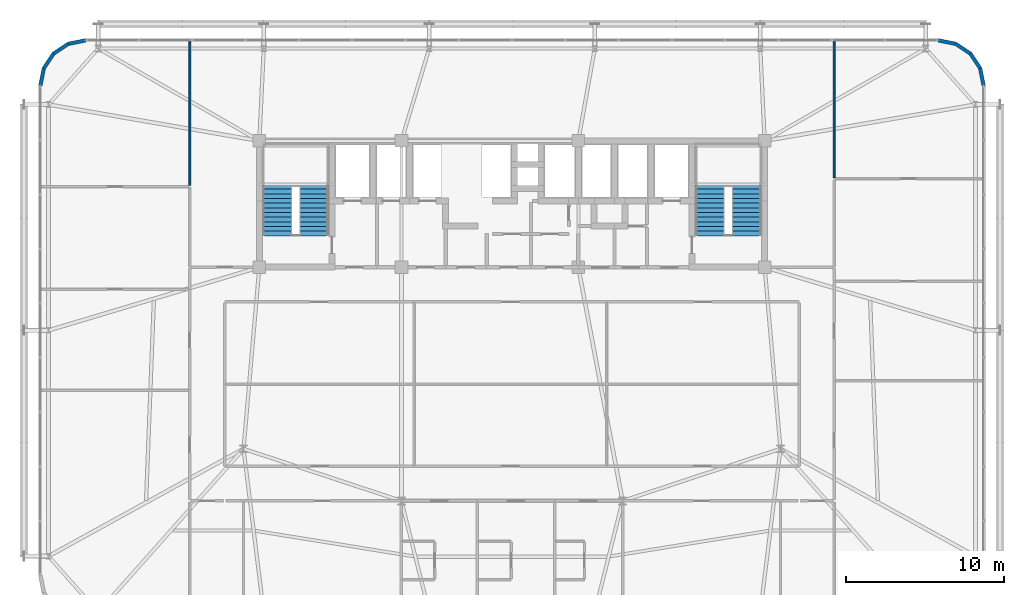
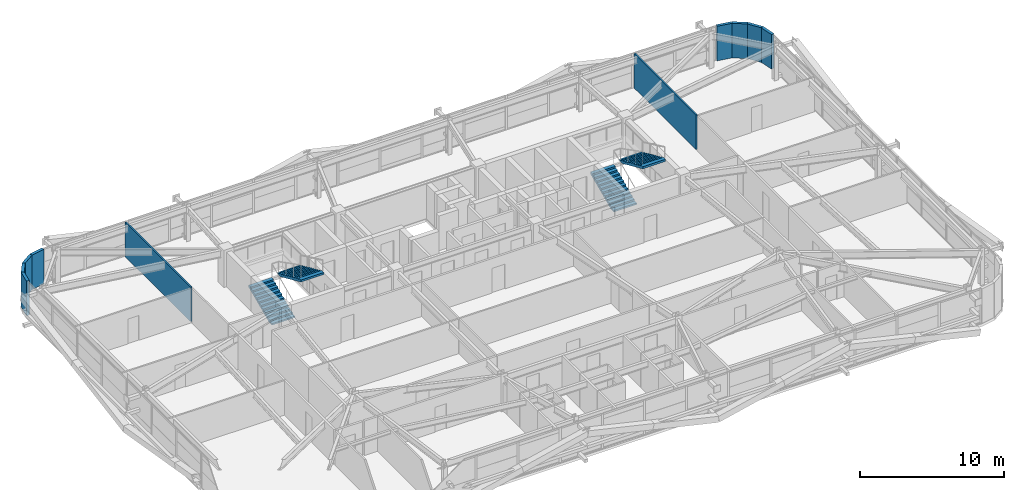
# One storey, part 56 of 59: 10 walls, 4 stair flights, 2 elements without a shape of their own.
"""IFC4 building model written with IfcOpenShell, lengths in metres."""

from ifc_helpers import new_model, si_unit, direction, frame, frame_2d, origin, place, context, subcontext, project, spatial, polyline, rectangle, outline, extrude, source, transform, mapped, material, layer, layer_set, type_object, element, aggregate, save


model = new_model("IFC4")

# Units and contexts
model_context = context("Model", 3, precision=1e-05, world=origin(), true_north=direction((0.0, 1.0)))
body_context = subcontext(model_context, "Body", "Model", "MODEL_VIEW")
ifc_project = project(units=[si_unit("LENGTHUNIT", "METRE"), si_unit("AREAUNIT", "SQUARE_METRE"), si_unit("VOLUMEUNIT", "CUBIC_METRE"), si_unit("PLANEANGLEUNIT", "RADIAN"), si_unit("MASSUNIT", "GRAM", prefix="KILO")], contexts=[model_context])

# Site, building, storey
site_placement = place(None, origin())
site = spatial("IfcSite", under=ifc_project, at=site_placement, CompositionType="ELEMENT")
building_placement = place(site_placement, origin())
building = spatial("IfcBuilding", under=site, at=building_placement, Name="Taldren Reach Tower", CompositionType="ELEMENT")
storey_placement = place(building_placement, frame((0.0, 0.0, 45.14990234375)))
storey = spatial("IfcBuildingStorey", under=building, at=storey_placement, Name="L13", CompositionType="ELEMENT", Elevation=45.14990234375)

# Walls
ifc_material_1 = material(Name="Pale Champagne Anodised Aluminium Cladding", Category="aluminium")
ifc_layer_1 = layer(ifc_material_1, 0.04, Name="Pale Champagne Anodised Aluminium Cladding", Category="aluminium")
ifc_material_2 = material(Name="Mineral Wool Acoustic Insulation", Category="insulation")
ifc_layer_2 = layer(ifc_material_2, 0.06, Name="Mineral Wool Acoustic Insulation", Category="insulation")
ifc_material_3 = material(Name="Steel Gr 350 (C350L0)", Category="steel")
ifc_layer_3 = layer(ifc_material_3, 0.12, Name="Steel Gr 350 (C350L0)", Category="steel")
ifc_layer_set_1 = layer_set([ifc_layer_1, ifc_layer_2, ifc_layer_3], Name="Pale Champagne Aluminium Cladding and Steel Gr 350 Stud Framing")
wall_type_1 = type_object("IfcWallType", Name="EW-CRN-220", PredefinedType="SOLIDWALL", material=ifc_layer_set_1)
shared_shape_1 = source(origin(), body_context, "Body", "SweptSolid", [
    extrude(rectangle(XDim=1.115966796875, YDim=0.219970703125, at=frame_2d((0.55810546875, 0.0))), origin(), (0.0, 0.0, 1.0), 2.93017578125),
])
for number, where, z_axis, x_axis, name in (
    (1, (64.860107421875, 35.5, 0.0), (0.0, 0.0, 1.0), (-0.195148375659, 0.98077373103, 0.0), "Rounded-corner pale-metal facade wall L13-NE1"),
    (2, (64.642333984375, 36.594482421875, 0.0), (0.0, 0.0, 1.0), (-0.555709556774, 0.83137650226, 0.0), "Rounded-corner pale-metal facade wall L13-NE2"),
    (3, (64.022216796875, 37.522216796875, 0.0), (0.0, 0.0, 1.0), (-0.83137650226, 0.555709556774, 0.0), "Rounded-corner pale-metal facade wall L13-NE3"),
    (4, (63.094482421875, 38.142333984375, 0.0), (0.0, 0.0, 1.0), (-0.98077373103, 0.195148375659, 0.0), "Rounded-corner pale-metal facade wall L13-NE4"),
    (5, (8.0, 38.360107421875, 0.0), (0.0, 0.0, 1.0), (-0.98077373103, -0.195148375659, 0.0), "Rounded-corner pale-metal facade wall L13-NW1"),
    (6, (6.905517578125, 38.142333984375, 0.0), (0.0, 0.0, 1.0), (-0.83137650226, -0.555709556774, 0.0), "Rounded-corner pale-metal facade wall L13-NW2"),
    (7, (5.977783203125, 37.522216796875, 0.0), (0.0, 0.0, 1.0), (-0.555709556774, -0.83137650226, 0.0), "Rounded-corner pale-metal facade wall L13-NW3"),
    (8, (5.357666015625, 36.594482421875, 0.0), (0.0, 0.0, 1.0), (-0.195148375659, -0.98077373103, 0.0), "Rounded-corner pale-metal facade wall L13-NW4"),
):
    element("IfcWall", number, at=place(storey_placement, frame(where, z_axis=z_axis, x_axis=x_axis)), inside=storey, type_object=wall_type_1, Name=name, PredefinedType="SOLIDWALL", context=body_context, shape_type="MappedRepresentation", body=[
        mapped(shared_shape_1, transform((0.0, 0.0, 0.0), scale=1.0)),
    ])
ifc_material_4 = material(Name="Insulated Residential Stud Partition", Category="gypsum")
ifc_layer_4 = layer(ifc_material_4, 0.1201171875)
ifc_layer_set_2 = layer_set([ifc_layer_4], Name="Insulated Residential Stud Partition")
wall_type_2 = type_object("IfcWallType", Name="IW-PART-120", PredefinedType="PARTITIONING", material=ifc_layer_set_2)
shared_shape_2 = source(origin(), body_context, "Body", "SweptSolid", [
    extrude(rectangle(XDim=9.090087890625, YDim=0.1201171875, at=frame_2d((4.544921875, 0.0))), origin(), (0.0, 0.0, 1.0), 2.93017578125),
])
wall_1_placement = place(storey_placement, frame((14.60009765625, 38.27001953125, 0.0), z_axis=(0.0, 0.0, 1.0), x_axis=(0.0, -1.0, 0.0)))
element("IfcWall", 9, at=wall_1_placement, inside=storey, type_object=wall_type_2, Name="Interior Partition Wall W-INT-L13-121", PredefinedType="PARTITIONING", context=body_context, shape_type="MappedRepresentation", body=[
    mapped(shared_shape_2, transform((0.0, 0.0, 0.0), scale=1.0)),
])
shared_shape_3 = source(origin(), body_context, "Body", "SweptSolid", [
    extrude(rectangle(XDim=8.590087890625, YDim=0.1201171875, at=frame_2d((4.294921875, 0.0))), origin(), (0.0, 0.0, 1.0), 2.93017578125),
])
wall_2_placement = place(storey_placement, frame((55.39990234375, 29.679931640625, 0.0), z_axis=(0.0, 0.0, 1.0), x_axis=(0.0, 1.0, 0.0)))
element("IfcWall", 10, at=wall_2_placement, inside=storey, type_object=wall_type_2, Name="Interior Partition Wall W-INT-L13-126", PredefinedType="PARTITIONING", context=body_context, shape_type="MappedRepresentation", body=[
    mapped(shared_shape_3, transform((0.0, 0.0, 0.0), scale=1.0)),
])

# Stair, stair flights
ifc_material_5 = material(Name="Concrete S50 (50 MPa)", Category="concrete")
stair_type = type_object("IfcStairType", Name="ST-HT-315", PredefinedType="HALF_TURN_STAIR", material=ifc_material_5)
stair_1_placement = place(storey_placement, origin())
stair_1 = element("IfcStair", 11, at=stair_1_placement, inside=storey, type_object=stair_type, Name="Fire-isolated exit stair ST1 L13", PredefinedType="HALF_TURN_STAIR")
stair_flight_type = type_object("IfcStairFlightType", Name="SF-STR-315", PredefinedType="STRAIGHT", material=ifc_material_5)
stair_flight_1_placement = place(storey_placement, frame((20.139892578125, 25.989990234375, 0.0), z_axis=(0.0, 0.0, 1.0), x_axis=(0.0, 1.0, 0.0)))
stair_flight_1 = element("IfcStairFlight", 12, at=stair_flight_1_placement, type_object=stair_flight_type, Name="ST1 flight 1", NumberOfRisers=12, NumberOfTreads=11, PredefinedType="STRAIGHT", RiserHeight=0.13125, TreadLength=0.295, context=body_context, shape_type="SweptSolid", body=[
    extrude(outline(polyline([(0.0, 0.0), (0.0, 0.13134765625), (0.294921875, 0.13134765625), (0.294921875, 0.262451171875), (0.590087890625, 0.262451171875), (0.590087890625, 0.393798828125), (0.885009765625, 0.393798828125), (0.885009765625, 0.52490234375), (1.179931640625, 0.52490234375), (1.179931640625, 0.65625), (1.47509765625, 0.65625), (1.47509765625, 0.78759765625), (1.77001953125, 0.78759765625), (1.77001953125, 0.918701171875), (2.06494140625, 0.918701171875), (2.06494140625, 1.050048828125), (2.360107421875, 1.050048828125), (2.360107421875, 1.18115234375), (2.655029296875, 1.18115234375), (2.655029296875, 1.3125), (2.949951171875, 1.3125), (2.949951171875, 1.44384765625), (3.2451171875, 1.44384765625), (3.2451171875, 1.574951171875), (3.2451171875, 1.268798828125), (0.393310546875, 0.0), (0.0, 0.0)])), frame((0.0, 0.919921875, 0.0), z_axis=(0.0, -1.0, 0.0), x_axis=(1.0, 0.0, 0.0)), (0.0, 0.0, 1.0), 1.840087890625),
])
stair_flight_2_placement = place(storey_placement, frame((22.4599609375, 29.235107421875, 1.5751953125), z_axis=(0.0, 0.0, 1.0), x_axis=(0.0, -1.0, 0.0)))
stair_flight_2 = element("IfcStairFlight", 13, at=stair_flight_2_placement, type_object=stair_flight_type, Name="ST1 flight 2", NumberOfRisers=12, NumberOfTreads=11, PredefinedType="STRAIGHT", RiserHeight=0.13125, TreadLength=0.295, context=body_context, shape_type="SweptSolid", body=[
    extrude(outline(polyline([(0.0, 0.0), (0.0, 0.13134765625), (0.294921875, 0.13134765625), (0.294921875, 0.262451171875), (0.590087890625, 0.262451171875), (0.590087890625, 0.393798828125), (0.885009765625, 0.393798828125), (0.885009765625, 0.52490234375), (1.179931640625, 0.52490234375), (1.179931640625, 0.65625), (1.47509765625, 0.65625), (1.47509765625, 0.78759765625), (1.77001953125, 0.78759765625), (1.77001953125, 0.918701171875), (2.06494140625, 0.918701171875), (2.06494140625, 1.050048828125), (2.360107421875, 1.050048828125), (2.360107421875, 1.18115234375), (2.655029296875, 1.18115234375), (2.655029296875, 1.3125), (2.949951171875, 1.3125), (2.949951171875, 1.44384765625), (3.2451171875, 1.44384765625), (3.2451171875, 1.574951171875), (3.2451171875, 1.268798828125), (0.393310546875, 0.0), (0.0, 0.0)])), frame((0.0, 0.919921875, 0.0), z_axis=(0.0, -1.0, 0.0), x_axis=(1.0, 0.0, 0.0)), (0.0, 0.0, 1.0), 1.840087890625),
])
aggregate(stair_1, [stair_flight_1, stair_flight_2])

stair_2_placement = place(storey_placement, origin())
stair_2 = element("IfcStair", 14, at=stair_2_placement, inside=storey, type_object=stair_type, Name="Fire-isolated exit stair ST2 L13", PredefinedType="HALF_TURN_STAIR")
stair_flight_3_placement = place(storey_placement, frame((47.5400390625, 25.989990234375, 0.0), z_axis=(0.0, 0.0, 1.0), x_axis=(0.0, 1.0, 0.0)))
stair_flight_3 = element("IfcStairFlight", 15, at=stair_flight_3_placement, type_object=stair_flight_type, Name="ST2 flight 1", NumberOfRisers=12, NumberOfTreads=11, PredefinedType="STRAIGHT", RiserHeight=0.13125, TreadLength=0.295, context=body_context, shape_type="SweptSolid", body=[
    extrude(outline(polyline([(0.0, 0.0), (0.0, 0.13134765625), (0.294921875, 0.13134765625), (0.294921875, 0.262451171875), (0.590087890625, 0.262451171875), (0.590087890625, 0.393798828125), (0.885009765625, 0.393798828125), (0.885009765625, 0.52490234375), (1.179931640625, 0.52490234375), (1.179931640625, 0.65625), (1.47509765625, 0.65625), (1.47509765625, 0.78759765625), (1.77001953125, 0.78759765625), (1.77001953125, 0.918701171875), (2.06494140625, 0.918701171875), (2.06494140625, 1.050048828125), (2.360107421875, 1.050048828125), (2.360107421875, 1.18115234375), (2.655029296875, 1.18115234375), (2.655029296875, 1.3125), (2.949951171875, 1.3125), (2.949951171875, 1.44384765625), (3.2451171875, 1.44384765625), (3.2451171875, 1.574951171875), (3.2451171875, 1.268798828125), (0.393310546875, 0.0), (0.0, 0.0)])), frame((0.0, 0.919921875, 0.0), z_axis=(0.0, -1.0, 0.0), x_axis=(1.0, 0.0, 0.0)), (0.0, 0.0, 1.0), 1.840087890625),
])
stair_flight_4_placement = place(storey_placement, frame((49.860107421875, 29.235107421875, 1.5751953125), z_axis=(0.0, 0.0, 1.0), x_axis=(0.0, -1.0, 0.0)))
stair_flight_4 = element("IfcStairFlight", 16, at=stair_flight_4_placement, type_object=stair_flight_type, Name="ST2 flight 2", NumberOfRisers=12, NumberOfTreads=11, PredefinedType="STRAIGHT", RiserHeight=0.13125, TreadLength=0.295, context=body_context, shape_type="SweptSolid", body=[
    extrude(outline(polyline([(0.0, 0.0), (0.0, 0.13134765625), (0.294921875, 0.13134765625), (0.294921875, 0.262451171875), (0.590087890625, 0.262451171875), (0.590087890625, 0.393798828125), (0.885009765625, 0.393798828125), (0.885009765625, 0.52490234375), (1.179931640625, 0.52490234375), (1.179931640625, 0.65625), (1.47509765625, 0.65625), (1.47509765625, 0.78759765625), (1.77001953125, 0.78759765625), (1.77001953125, 0.918701171875), (2.06494140625, 0.918701171875), (2.06494140625, 1.050048828125), (2.360107421875, 1.050048828125), (2.360107421875, 1.18115234375), (2.655029296875, 1.18115234375), (2.655029296875, 1.3125), (2.949951171875, 1.3125), (2.949951171875, 1.44384765625), (3.2451171875, 1.44384765625), (3.2451171875, 1.574951171875), (3.2451171875, 1.268798828125), (0.393310546875, 0.0), (0.0, 0.0)])), frame((0.0, 0.919921875, 0.0), z_axis=(0.0, -1.0, 0.0), x_axis=(1.0, 0.0, 0.0)), (0.0, 0.0, 1.0), 1.840087890625),
])
aggregate(stair_2, [stair_flight_3, stair_flight_4])

save(model, "model.ifc")
